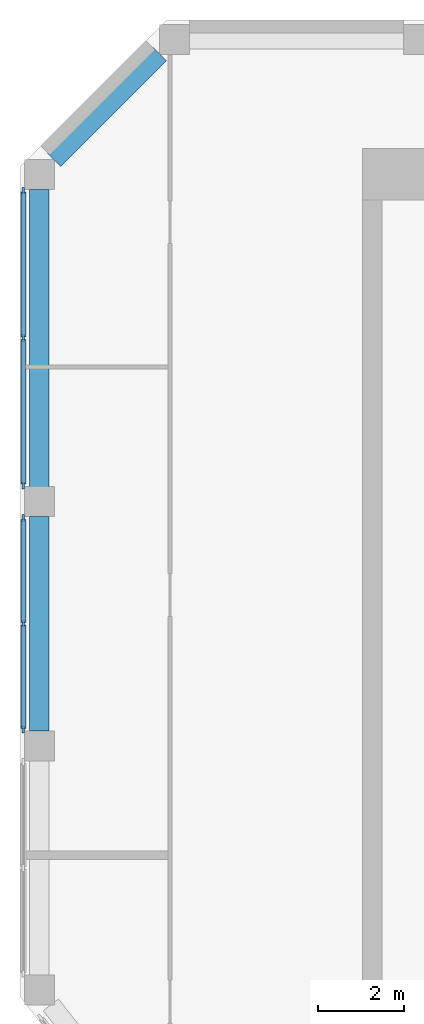
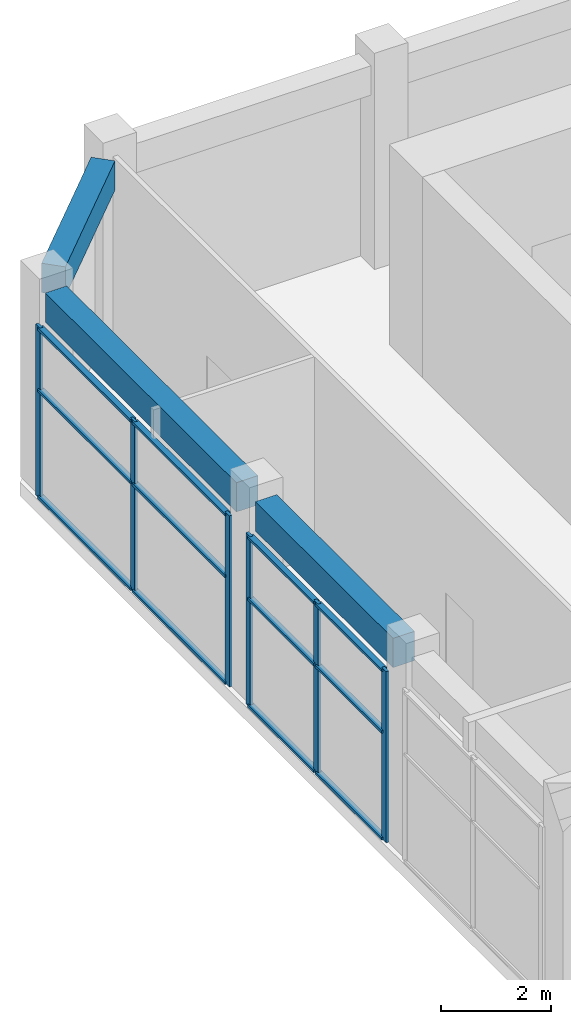
# One storey, part 5 of 10: 18 members, 3 beams, 2 elements without a shape of their own.
"""IFC4 building model written with IfcOpenShell, lengths in metres."""

from ifc_helpers import new_model, si_unit, direction, frame, origin, origin_2d, place, context, subcontext, project, spatial, rectangle, extrude, material, material_profile, profile_set, type_object, element, aggregate, save


model = new_model("IFC4")

# Units and contexts
model_context = context("Model", 3, precision=1e-05, world=origin(), true_north=direction((0.0, 1.0)))
body_context = subcontext(model_context, "Body", "Model", "MODEL_VIEW")
ifc_project = project(units=[si_unit("LENGTHUNIT", "METRE"), si_unit("AREAUNIT", "SQUARE_METRE"), si_unit("VOLUMEUNIT", "CUBIC_METRE"), si_unit("PLANEANGLEUNIT", "RADIAN"), si_unit("MASSUNIT", "GRAM", prefix="KILO")], contexts=[model_context])

# Site, building, storey
site_placement = place(None, origin())
site = spatial("IfcSite", under=ifc_project, at=site_placement, CompositionType="ELEMENT")
building_placement = place(site_placement, origin())
building = spatial("IfcBuilding", under=site, at=building_placement, Name="Meshkara Civic Tower", CompositionType="ELEMENT")
storey_placement = place(building_placement, frame((0.0, 0.0, 424.199951171875)))
storey = spatial("IfcBuildingStorey", under=building, at=storey_placement, Name="L97 Crown", CompositionType="ELEMENT", Elevation=424.199951171875)

# Curtain wall, members
ifc_material_1 = material(Name="Tinted double glazing", Category="glass")
curtain_wall_type = type_object("IfcCurtainWallType", Name="CW CROWN LANTERN", PredefinedType="NOTDEFINED", material=ifc_material_1)
curtain_wall_1_placement = place(storey_placement, origin())
curtain_wall_1 = element("IfcCurtainWall", 1, at=curtain_wall_1_placement, inside=storey, type_object=curtain_wall_type, Name="Curtain wall CW3", PredefinedType="NOTDEFINED")
ifc_material_2 = material(Name="Bronze anodised aluminium", Category="aluminium")
ifc_material_profile_1 = material_profile(ifc_material_2, rectangle(XDim=0.06005859375, YDim=0.159912109375, at=origin_2d()))
ifc_profile_set_1 = profile_set([ifc_material_profile_1], Name="Bronze anodised aluminium")
member_type_1 = type_object("IfcMemberType", Name="CW MULLION 60x160", PredefinedType="MULLION", material=ifc_profile_set_1)
member_1_placement = place(storey_placement, frame((0.080078125, 35.9140625, 0.0), z_axis=(0.0, 0.0, 1.0), x_axis=(1.0, 0.0, 0.0)))
member_1 = element("IfcMember", 2, at=member_1_placement, type_object=member_type_1, Name="CW3 mullion 1", PredefinedType="MULLION", context=body_context, shape_type="SweptSolid", body=[
    extrude(rectangle(XDim=0.06005859375, YDim=0.159912109375, at=origin_2d()), origin(), (0.0, 0.0, 1.0), 3.800048828125),
])
member_2_placement = place(storey_placement, frame((0.080078125, 32.474609375, 0.0), z_axis=(0.0, 0.0, 1.0), x_axis=(1.0, 0.0, 0.0)))
member_2 = element("IfcMember", 3, at=member_2_placement, type_object=member_type_1, Name="CW3 mullion 2", PredefinedType="MULLION", context=body_context, shape_type="SweptSolid", body=[
    extrude(rectangle(XDim=0.06005859375, YDim=0.159912109375, at=origin_2d()), origin(), (0.0, 0.0, 1.0), 3.800048828125),
])
member_3_placement = place(storey_placement, frame((0.080078125, 29.034912109375, 0.0), z_axis=(0.0, 0.0, 1.0), x_axis=(1.0, 0.0, 0.0)))
member_3 = element("IfcMember", 4, at=member_3_placement, type_object=member_type_1, Name="CW3 mullion 3", PredefinedType="MULLION", context=body_context, shape_type="SweptSolid", body=[
    extrude(rectangle(XDim=0.06005859375, YDim=0.159912109375, at=origin_2d()), origin(), (0.0, 0.0, 1.0), 3.800048828125),
])

curtain_wall_2_placement = place(storey_placement, origin())
curtain_wall_2 = element("IfcCurtainWall", 5, at=curtain_wall_2_placement, inside=storey, type_object=curtain_wall_type, Name="Curtain wall CW3", PredefinedType="NOTDEFINED")
member_4_placement = place(storey_placement, frame((0.080078125, 28.27490234375, 0.0), z_axis=(0.0, 0.0, 1.0), x_axis=(1.0, 0.0, 0.0)))
member_4 = element("IfcMember", 6, at=member_4_placement, type_object=member_type_1, Name="CW3 mullion 1", PredefinedType="MULLION", context=body_context, shape_type="SweptSolid", body=[
    extrude(rectangle(XDim=0.06005859375, YDim=0.159912109375, at=origin_2d()), origin(), (0.0, 0.0, 1.0), 3.800048828125),
])
member_5_placement = place(storey_placement, frame((0.080078125, 25.804931640625, 0.0), z_axis=(0.0, 0.0, 1.0), x_axis=(1.0, 0.0, 0.0)))
member_5 = element("IfcMember", 7, at=member_5_placement, type_object=member_type_1, Name="CW3 mullion 2", PredefinedType="MULLION", context=body_context, shape_type="SweptSolid", body=[
    extrude(rectangle(XDim=0.06005859375, YDim=0.159912109375, at=origin_2d()), origin(), (0.0, 0.0, 1.0), 3.800048828125),
])
member_6_placement = place(storey_placement, frame((0.080078125, 23.3349609375, 0.0), z_axis=(0.0, 0.0, 1.0), x_axis=(1.0, 0.0, 0.0)))
member_6 = element("IfcMember", 8, at=member_6_placement, type_object=member_type_1, Name="CW3 mullion 3", PredefinedType="MULLION", context=body_context, shape_type="SweptSolid", body=[
    extrude(rectangle(XDim=0.06005859375, YDim=0.159912109375, at=origin_2d()), origin(), (0.0, 0.0, 1.0), 3.800048828125),
])

# Member
ifc_material_3 = material(Name="Bronze anodised aluminium", Category="aluminium")
ifc_material_profile_2 = material_profile(ifc_material_3, rectangle(XDim=0.1201171875, YDim=0.06005859375, at=origin_2d()))
ifc_profile_set_2 = profile_set([ifc_material_profile_2], Name="Bronze anodised aluminium")
member_type_2 = type_object("IfcMemberType", Name="CW TRANSOM 60x120", PredefinedType="USERDEFINED", material=ifc_profile_set_2)
member_7_placement = place(storey_placement, frame((0.080078125, 35.884033203125, 0.030029296875), z_axis=(0.0, -1.0, 0.0), x_axis=(1.0, 0.0, 0.0)))
member_7 = element("IfcMember", 9, at=member_7_placement, type_object=member_type_2, Name="CW3 transom 1.1", ObjectType="TRANSOM", PredefinedType="USERDEFINED", context=body_context, shape_type="SweptSolid", body=[
    extrude(rectangle(XDim=0.1201171875, YDim=0.06005859375, at=origin_2d()), origin(), (0.0, 0.0, 1.0), 3.379638671875),
])

member_8_placement = place(storey_placement, frame((0.080078125, 35.884033203125, 2.400146484375), z_axis=(0.0, -1.0, 0.0), x_axis=(1.0, 0.0, 0.0)))
member_8 = element("IfcMember", 10, at=member_8_placement, type_object=member_type_2, Name="CW3 transom 1.2", ObjectType="TRANSOM", PredefinedType="USERDEFINED", context=body_context, shape_type="SweptSolid", body=[
    extrude(rectangle(XDim=0.1201171875, YDim=0.06005859375, at=origin_2d()), origin(), (0.0, 0.0, 1.0), 3.379638671875),
])

member_9_placement = place(storey_placement, frame((0.080078125, 35.884033203125, 3.77001953125), z_axis=(0.0, -1.0, 0.0), x_axis=(1.0, 0.0, 0.0)))
member_9 = element("IfcMember", 11, at=member_9_placement, type_object=member_type_2, Name="CW3 transom 1.3", ObjectType="TRANSOM", PredefinedType="USERDEFINED", context=body_context, shape_type="SweptSolid", body=[
    extrude(rectangle(XDim=0.1201171875, YDim=0.06005859375, at=origin_2d()), origin(), (0.0, 0.0, 1.0), 3.379638671875),
])

member_10_placement = place(storey_placement, frame((0.080078125, 32.444580078125, 0.030029296875), z_axis=(0.0, -1.0, 0.0), x_axis=(1.0, 0.0, 0.0)))
member_10 = element("IfcMember", 12, at=member_10_placement, type_object=member_type_2, Name="CW3 transom 2.1", ObjectType="TRANSOM", PredefinedType="USERDEFINED", context=body_context, shape_type="SweptSolid", body=[
    extrude(rectangle(XDim=0.1201171875, YDim=0.06005859375, at=origin_2d()), origin(), (0.0, 0.0, 1.0), 3.379638671875),
])

member_11_placement = place(storey_placement, frame((0.080078125, 32.444580078125, 2.400146484375), z_axis=(0.0, -1.0, 0.0), x_axis=(1.0, 0.0, 0.0)))
member_11 = element("IfcMember", 13, at=member_11_placement, type_object=member_type_2, Name="CW3 transom 2.2", ObjectType="TRANSOM", PredefinedType="USERDEFINED", context=body_context, shape_type="SweptSolid", body=[
    extrude(rectangle(XDim=0.1201171875, YDim=0.06005859375, at=origin_2d()), origin(), (0.0, 0.0, 1.0), 3.379638671875),
])

member_12_placement = place(storey_placement, frame((0.080078125, 32.444580078125, 3.77001953125), z_axis=(0.0, -1.0, 0.0), x_axis=(1.0, 0.0, 0.0)))
member_12 = element("IfcMember", 14, at=member_12_placement, type_object=member_type_2, Name="CW3 transom 2.3", ObjectType="TRANSOM", PredefinedType="USERDEFINED", context=body_context, shape_type="SweptSolid", body=[
    extrude(rectangle(XDim=0.1201171875, YDim=0.06005859375, at=origin_2d()), origin(), (0.0, 0.0, 1.0), 3.379638671875),
])

aggregate(curtain_wall_1, [member_1, member_2, member_3, member_7, member_8, member_9, member_10, member_11, member_12])

member_13_placement = place(storey_placement, frame((0.080078125, 28.2451171875, 0.030029296875), z_axis=(0.0, -1.0, 0.0), x_axis=(1.0, 0.0, 0.0)))
member_13 = element("IfcMember", 15, at=member_13_placement, type_object=member_type_2, Name="CW3 transom 1.1", ObjectType="TRANSOM", PredefinedType="USERDEFINED", context=body_context, shape_type="SweptSolid", body=[
    extrude(rectangle(XDim=0.1201171875, YDim=0.06005859375, at=origin_2d()), origin(), (0.0, 0.0, 1.0), 2.41015625),
])

member_14_placement = place(storey_placement, frame((0.080078125, 28.2451171875, 2.400146484375), z_axis=(0.0, -1.0, 0.0), x_axis=(1.0, 0.0, 0.0)))
member_14 = element("IfcMember", 16, at=member_14_placement, type_object=member_type_2, Name="CW3 transom 1.2", ObjectType="TRANSOM", PredefinedType="USERDEFINED", context=body_context, shape_type="SweptSolid", body=[
    extrude(rectangle(XDim=0.1201171875, YDim=0.06005859375, at=origin_2d()), origin(), (0.0, 0.0, 1.0), 2.41015625),
])

member_15_placement = place(storey_placement, frame((0.080078125, 28.2451171875, 3.77001953125), z_axis=(0.0, -1.0, 0.0), x_axis=(1.0, 0.0, 0.0)))
member_15 = element("IfcMember", 17, at=member_15_placement, type_object=member_type_2, Name="CW3 transom 1.3", ObjectType="TRANSOM", PredefinedType="USERDEFINED", context=body_context, shape_type="SweptSolid", body=[
    extrude(rectangle(XDim=0.1201171875, YDim=0.06005859375, at=origin_2d()), origin(), (0.0, 0.0, 1.0), 2.41015625),
])

member_16_placement = place(storey_placement, frame((0.080078125, 25.77490234375, 0.030029296875), z_axis=(0.0, -1.0, 0.0), x_axis=(1.0, 0.0, 0.0)))
member_16 = element("IfcMember", 18, at=member_16_placement, type_object=member_type_2, Name="CW3 transom 2.1", ObjectType="TRANSOM", PredefinedType="USERDEFINED", context=body_context, shape_type="SweptSolid", body=[
    extrude(rectangle(XDim=0.1201171875, YDim=0.06005859375, at=origin_2d()), origin(), (0.0, 0.0, 1.0), 2.409912109375),
])

member_17_placement = place(storey_placement, frame((0.080078125, 25.77490234375, 2.400146484375), z_axis=(0.0, -1.0, 0.0), x_axis=(1.0, 0.0, 0.0)))
member_17 = element("IfcMember", 19, at=member_17_placement, type_object=member_type_2, Name="CW3 transom 2.2", ObjectType="TRANSOM", PredefinedType="USERDEFINED", context=body_context, shape_type="SweptSolid", body=[
    extrude(rectangle(XDim=0.1201171875, YDim=0.06005859375, at=origin_2d()), origin(), (0.0, 0.0, 1.0), 2.409912109375),
])

member_18_placement = place(storey_placement, frame((0.080078125, 25.77490234375, 3.77001953125), z_axis=(0.0, -1.0, 0.0), x_axis=(1.0, 0.0, 0.0)))
member_18 = element("IfcMember", 20, at=member_18_placement, type_object=member_type_2, Name="CW3 transom 2.3", ObjectType="TRANSOM", PredefinedType="USERDEFINED", context=body_context, shape_type="SweptSolid", body=[
    extrude(rectangle(XDim=0.1201171875, YDim=0.06005859375, at=origin_2d()), origin(), (0.0, 0.0, 1.0), 2.409912109375),
])

aggregate(curtain_wall_2, [member_4, member_5, member_6, member_13, member_14, member_15, member_16, member_17, member_18])

# Beams
ifc_material_4 = material(Name="Concrete C50", Category="concrete")
ifc_material_profile_3 = material_profile(ifc_material_4, rectangle(XDim=0.449951171875, YDim=0.64990234375, at=origin_2d()))
ifc_profile_set_3 = profile_set([ifc_material_profile_3], Name="Concrete C50")
beam_type = type_object("IfcBeamType", Name="Spandrel beam RC 450x650 C50", PredefinedType="BEAM", material=ifc_profile_set_3)
beam_1_placement = place(storey_placement, frame((3.259521484375, 39.103515625, 4.125), z_axis=(-0.707106781187, -0.707106781187, 0.0), x_axis=(0.707106781187, -0.707106781187, 0.0)))
element("IfcBeam", 21, at=beam_1_placement, inside=storey, type_object=beam_type, Name="Spandrel beam HCw00-HN00-P8", PredefinedType="BEAM", context=body_context, shape_type="SweptSolid", body=[
    extrude(rectangle(XDim=0.449951171875, YDim=0.64990234375, at=origin_2d()), origin(), (0.0, 0.0, 1.0), 3.4833984375),
])
beam_2_placement = place(storey_placement, frame((0.449951171875, 35.948974609375, 4.125), z_axis=(0.0, -1.0, 0.0), x_axis=(1.0, 0.0, 0.0)))
element("IfcBeam", 22, at=beam_2_placement, inside=storey, type_object=beam_type, Name="Spandrel beam AW02-HCw00", PredefinedType="BEAM", context=body_context, shape_type="SweptSolid", body=[
    extrude(rectangle(XDim=0.449951171875, YDim=0.64990234375, at=origin_2d()), origin(), (0.0, 0.0, 1.0), 6.948974609375),
])
beam_3_placement = place(storey_placement, frame((0.449951171875, 28.31005859375, 4.125), z_axis=(0.0, -1.0, 0.0), x_axis=(1.0, 0.0, 0.0)))
element("IfcBeam", 23, at=beam_3_placement, inside=storey, type_object=beam_type, Name="Spandrel beam AW01-AW02", PredefinedType="BEAM", context=body_context, shape_type="SweptSolid", body=[
    extrude(rectangle(XDim=0.449951171875, YDim=0.64990234375, at=origin_2d()), origin(), (0.0, 0.0, 1.0), 5.010009765625),
])

save(model, "model.ifc")
